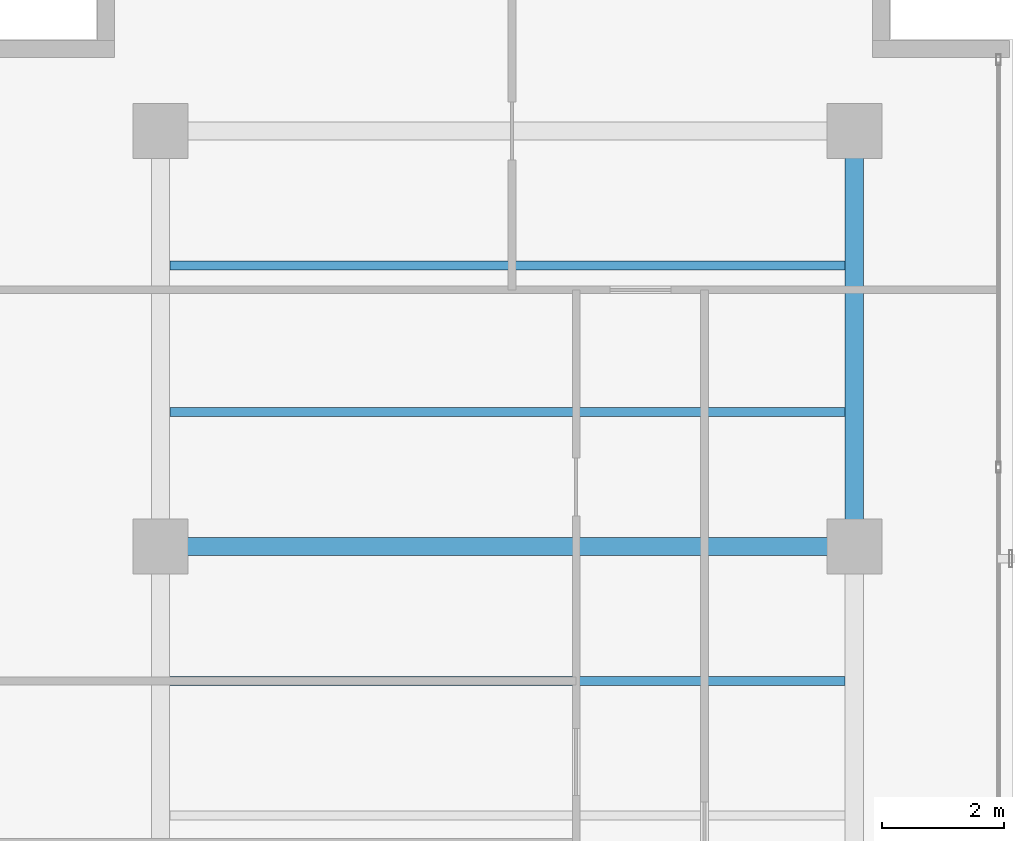
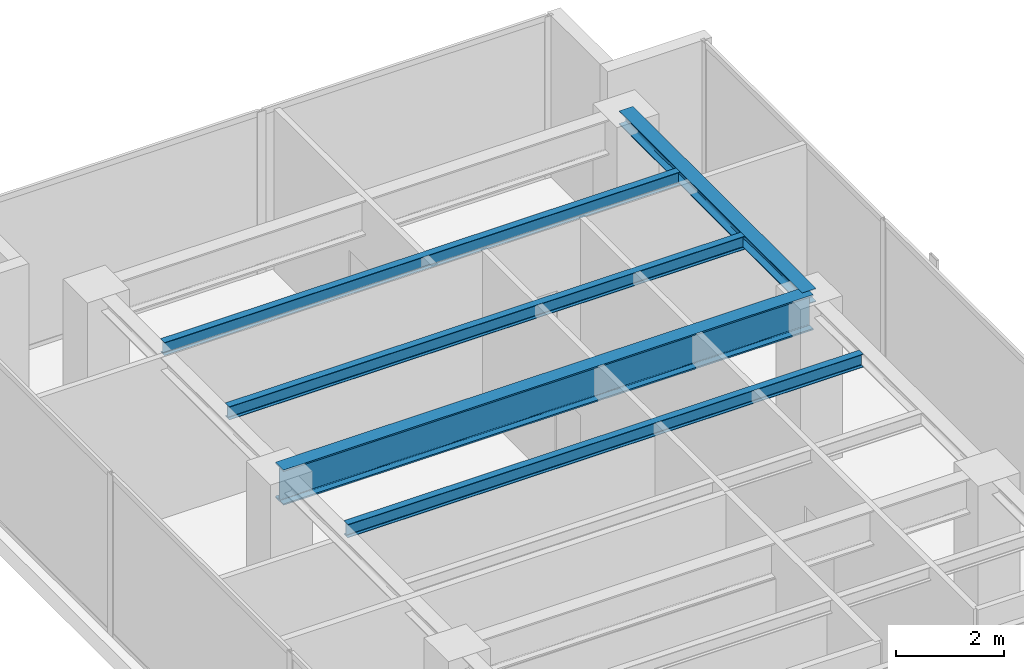
# One storey, part 20 of 31: 5 beams.
"""IFC4 building model written with IfcOpenShell, lengths in metres."""

from ifc_helpers import new_model, si_unit, direction, frame, origin, origin_2d, place, context, subcontext, project, spatial, i_section, extrude, material, material_profile, profile_set, type_object, element, save


model = new_model("IFC4")

# Units and contexts
model_context = context("Model", 3, precision=1e-05, world=origin(), true_north=direction((0.0, 1.0)))
body_context = subcontext(model_context, "Body", "Model", "MODEL_VIEW")
ifc_project = project(units=[si_unit("LENGTHUNIT", "METRE"), si_unit("AREAUNIT", "SQUARE_METRE"), si_unit("VOLUMEUNIT", "CUBIC_METRE"), si_unit("PLANEANGLEUNIT", "RADIAN"), si_unit("MASSUNIT", "GRAM", prefix="KILO")], contexts=[model_context])

# Site, building, storey
site_placement = place(None, origin())
site = spatial("IfcSite", under=ifc_project, at=site_placement, CompositionType="ELEMENT")
building_placement = place(site_placement, origin())
building = spatial("IfcBuilding", under=site, at=building_placement, Name="Kolvaren Waterfront Exchange", CompositionType="ELEMENT")
storey_placement = place(building_placement, frame((0.0, 0.0, 344.199951171875)))
storey = spatial("IfcBuildingStorey", under=building, at=storey_placement, Name="L88", CompositionType="ELEMENT", Elevation=344.199951171875)

# Beams
ifc_material = material(Name="Steel S355", Category="steel")
ifc_material_profile_1 = material_profile(ifc_material, i_section(OverallWidth=0.300048828125, OverallDepth=0.300048828125, WebThickness=0.010986328125, FlangeThickness=0.01904296875, FilletRadius=0.027099609375, at=origin_2d()), Name="HEB300")
ifc_profile_set_1 = profile_set([ifc_material_profile_1], Name="Steel S355")
beam_type_1 = type_object("IfcBeamType", Name="STR-BM-HEB300", PredefinedType="SPANDREL", material=ifc_profile_set_1)
beam_1_placement = place(storey_placement, frame((18.800048828125, 37.800048828125, 3.510009765625), z_axis=(0.0, 1.0, 0.0), x_axis=(-1.0, 0.0, 0.0)))
element("IfcBeam", 1, at=beam_1_placement, inside=storey, type_object=beam_type_1, Name="L88 north-arm edge beam 3", PredefinedType="SPANDREL", context=body_context, shape_type="SweptSolid", body=[
    extrude(i_section(OverallWidth=0.300048828125, OverallDepth=0.300048828125, WebThickness=0.010986328125, FlangeThickness=0.01904296875, FilletRadius=0.027099609375, at=origin_2d()), origin(), (0.0, 0.0, 1.0), 6.800048828125),
])
ifc_material_profile_2 = material_profile(ifc_material, i_section(OverallWidth=0.300048828125, OverallDepth=0.800048828125, WebThickness=0.017578125, FlangeThickness=0.032958984375, FilletRadius=0.030029296875, at=origin_2d()), Name="HEB800")
ifc_profile_set_2 = profile_set([ifc_material_profile_2], Name="Steel S355")
beam_type_2 = type_object("IfcBeamType", Name="STR-BM-HEB800", PredefinedType="BEAM", material=ifc_profile_set_2)
beam_2_placement = place(storey_placement, frame((7.449951171875, 37.800048828125, 3.260009765625), z_axis=(1.0, 0.0, 0.0), x_axis=(0.0, 1.0, 0.0)))
element("IfcBeam", 2, at=beam_2_placement, inside=storey, type_object=beam_type_2, Name="L88 north-arm girder 3", PredefinedType="BEAM", context=body_context, shape_type="SweptSolid", body=[
    extrude(i_section(OverallWidth=0.300048828125, OverallDepth=0.800048828125, WebThickness=0.017578125, FlangeThickness=0.032958984375, FilletRadius=0.030029296875, at=origin_2d()), origin(), (0.0, 0.0, 1.0), 11.35009765625),
])
ifc_material_profile_3 = material_profile(ifc_material, i_section(OverallWidth=0.14990234375, OverallDepth=0.300048828125, WebThickness=0.007080078125, FlangeThickness=0.0107421875, FilletRadius=0.014892578125, at=origin_2d()), Name="IPE300")
ifc_profile_set_3 = profile_set([ifc_material_profile_3], Name="Steel S355")
beam_type_3 = type_object("IfcBeamType", Name="STR-BM-IPE300", PredefinedType="JOIST", material=ifc_profile_set_3)
for number, where, z_axis, x_axis, name in (
    (3, (7.60205078125, 35.60009765625, 3.510009765625), (1.0, 0.0, 0.0), (0.0, 1.0, 0.0), "L88 north-arm composite joist 4"),
    (4, (7.60205078125, 40.0, 3.510009765625), (1.0, 0.0, 0.0), (0.0, 1.0, 0.0), "L88 north-arm composite joist 5"),
    (5, (7.60205078125, 42.39990234375, 3.510009765625), (1.0, 0.0, 0.0), (0.0, 1.0, 0.0), "L88 north-arm composite joist 6"),
):
    element("IfcBeam", number, at=place(storey_placement, frame(where, z_axis=z_axis, x_axis=x_axis)), inside=storey, type_object=beam_type_3, Name=name, PredefinedType="JOIST", context=body_context, shape_type="SweptSolid", body=[
        extrude(i_section(OverallWidth=0.14990234375, OverallDepth=0.300048828125, WebThickness=0.007080078125, FlangeThickness=0.0107421875, FilletRadius=0.014892578125, at=origin_2d()), origin(), (0.0, 0.0, 1.0), 11.0458984375),
    ])

save(model, "model.ifc")
